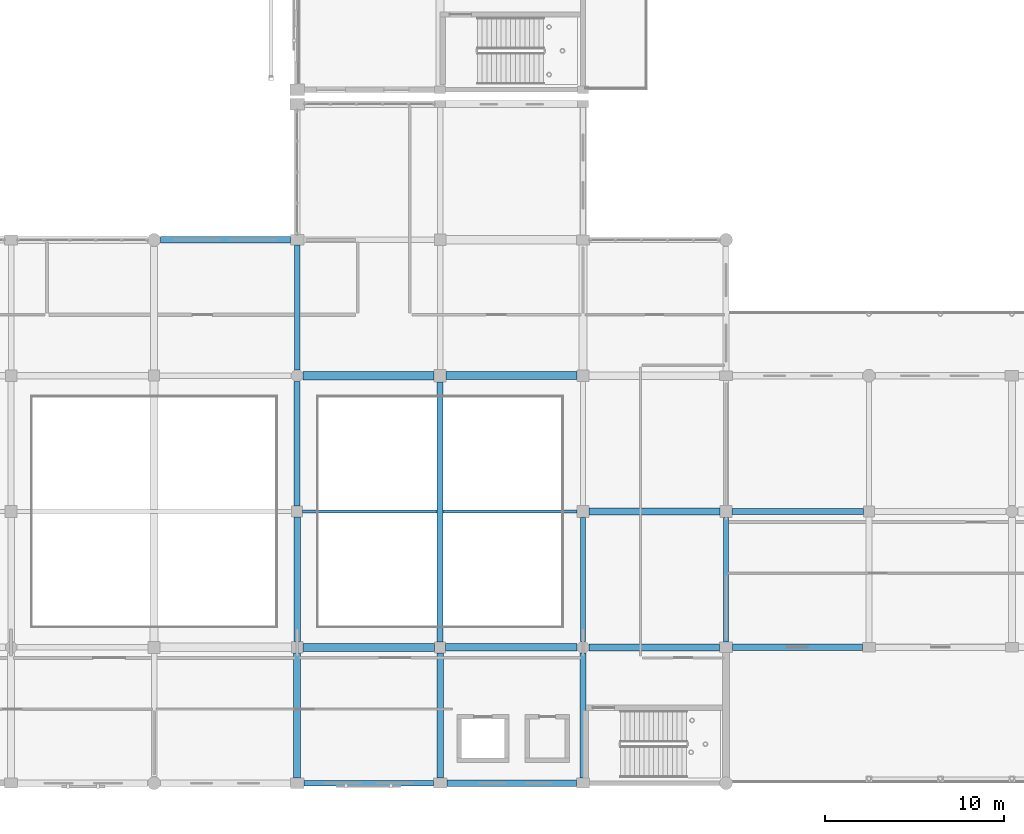
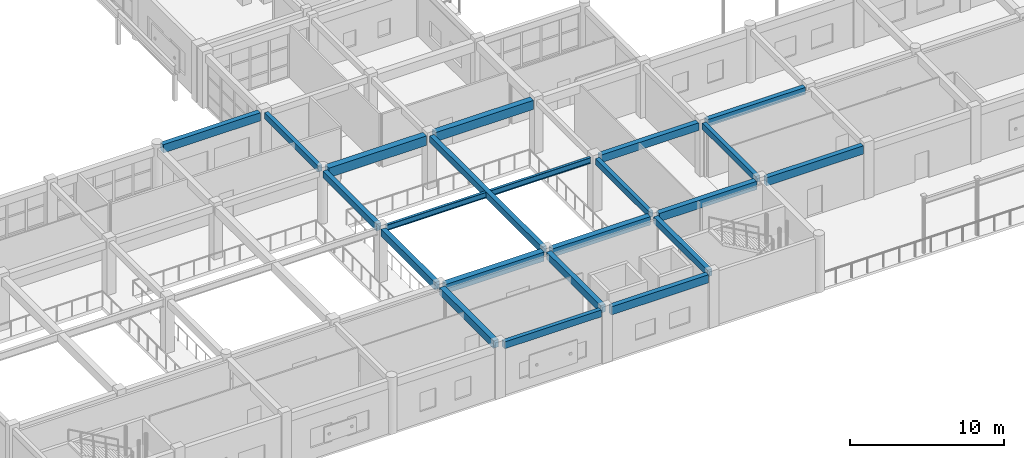
# One storey, part 45 of 160: 21 beams.
"""IFC4 building model written with IfcOpenShell, lengths in metres."""

from ifc_helpers import new_model, si_unit, direction, frame, origin, origin_2d, place, context, subcontext, project, spatial, rectangle, i_section, extrude, material, material_profile, profile_set, type_object, element, save


model = new_model("IFC4")

# Units and contexts
model_context = context("Model", 3, precision=1e-05, world=origin(), true_north=direction((0.0, 1.0)))
body_context = subcontext(model_context, "Body", "Model", "MODEL_VIEW")
ifc_project = project(units=[si_unit("LENGTHUNIT", "METRE"), si_unit("AREAUNIT", "SQUARE_METRE"), si_unit("VOLUMEUNIT", "CUBIC_METRE"), si_unit("PLANEANGLEUNIT", "RADIAN"), si_unit("MASSUNIT", "GRAM", prefix="KILO")], contexts=[model_context])

# Site, building, storey
site_placement = place(None, origin())
site = spatial("IfcSite", under=ifc_project, at=site_placement, CompositionType="ELEMENT")
building_placement = place(site_placement, origin())
building = spatial("IfcBuilding", under=site, at=building_placement, Name="Kharva Crest Polytechnic", CompositionType="ELEMENT")
storey_placement = place(building_placement, frame((0.0, 0.0, 4.5)))
storey = spatial("IfcBuildingStorey", under=building, at=storey_placement, Name="L01", CompositionType="ELEMENT", Elevation=4.5)

# Beams
ifc_material_1 = material(Name="Concrete C35/45", Category="concrete")
ifc_material_profile_1 = material_profile(ifc_material_1, rectangle(XDim=0.300048828125, YDim=0.47998046875, at=origin_2d()), Name="RECT 300 X 480")
ifc_profile_set_1 = profile_set([ifc_material_profile_1], Name="Concrete C35/45")
beam_type_1 = type_object("IfcBeamType", Name="BM-RC-300X480", PredefinedType="BEAM", material=ifc_profile_set_1)
beam_1_placement = place(storey_placement, frame((32.0, 23.1298828125, 3.97998046875), z_axis=(0.0, 1.0, 0.0), x_axis=(-1.0, 0.0, 0.0)))
element("IfcBeam", 1, at=beam_1_placement, inside=storey, type_object=beam_type_1, Name="L01 Girder 5/D-E", PredefinedType="BEAM", context=body_context, shape_type="SweptSolid", body=[
    extrude(rectangle(XDim=0.300048828125, YDim=0.47998046875, at=origin_2d()), origin(), (0.0, 0.0, 1.0), 6.97021484375),
])
beam_2_placement = place(storey_placement, frame((48.0, 7.929931640625, 3.97998046875), z_axis=(0.0, 1.0, 0.0), x_axis=(-1.0, 0.0, 0.0)))
element("IfcBeam", 2, at=beam_2_placement, inside=storey, type_object=beam_type_1, Name="L01 Girder 7/B-C", PredefinedType="BEAM", context=body_context, shape_type="SweptSolid", body=[
    extrude(rectangle(XDim=0.300048828125, YDim=0.47998046875, at=origin_2d()), origin(), (0.0, 0.0, 1.0), 6.93017578125),
])
beam_3_placement = place(storey_placement, frame((56.0, 7.89990234375, 3.97998046875), z_axis=(0.0, 1.0, 0.0), x_axis=(-1.0, 0.0, 0.0)))
element("IfcBeam", 3, at=beam_3_placement, inside=storey, type_object=beam_type_1, Name="L01 Girder 8/B-C", PredefinedType="BEAM", context=body_context, shape_type="SweptSolid", body=[
    extrude(rectangle(XDim=0.300048828125, YDim=0.47998046875, at=origin_2d()), origin(), (0.0, 0.0, 1.0), 6.97509765625),
])
ifc_material_profile_2 = material_profile(ifc_material_1, rectangle(XDim=0.340087890625, YDim=0.52001953125, at=origin_2d()), Name="RECT 340 X 520")
ifc_profile_set_2 = profile_set([ifc_material_profile_2], Name="Concrete C35/45")
beam_type_2 = type_object("IfcBeamType", Name="BM-RC-340X520", PredefinedType="BEAM", material=ifc_profile_set_2)
beam_4_placement = place(storey_placement, frame((32.0, 15.510009765625, 3.9599609375), z_axis=(0.0, 1.0, 0.0), x_axis=(-1.0, 0.0, 0.0)))
element("IfcBeam", 4, at=beam_4_placement, inside=storey, type_object=beam_type_2, Name="L01 Girder 5/C-D", PredefinedType="BEAM", context=body_context, shape_type="SweptSolid", body=[
    extrude(rectangle(XDim=0.340087890625, YDim=0.52001953125, at=origin_2d()), origin(), (0.0, 0.0, 1.0), 6.9599609375),
])
beam_5_placement = place(storey_placement, frame((40.0, 7.909912109375, 3.9599609375), z_axis=(0.0, 1.0, 0.0), x_axis=(-1.0, 0.0, 0.0)))
element("IfcBeam", 5, at=beam_5_placement, inside=storey, type_object=beam_type_2, Name="L01 Girder 6/B-D", PredefinedType="BEAM", context=body_context, shape_type="SweptSolid", body=[
    extrude(rectangle(XDim=0.340087890625, YDim=0.52001953125, at=origin_2d()), origin(), (0.0, 0.0, 1.0), 14.550048828125),
])
beam_6_placement = place(storey_placement, frame((48.0, 0.27490234375, 3.9599609375), z_axis=(0.0, 1.0, 0.0), x_axis=(-1.0, 0.0, 0.0)))
element("IfcBeam", 6, at=beam_6_placement, inside=storey, type_object=beam_type_2, Name="L01 Girder 7/A-B", PredefinedType="BEAM", context=body_context, shape_type="SweptSolid", body=[
    extrude(rectangle(XDim=0.340087890625, YDim=0.52001953125, at=origin_2d()), origin(), (0.0, 0.0, 1.0), 6.9951171875),
])
ifc_material_profile_3 = material_profile(ifc_material_1, rectangle(XDim=0.35009765625, YDim=0.550048828125, at=origin_2d()), Name="RECT 350 X 550")
ifc_profile_set_3 = profile_set([ifc_material_profile_3], Name="Concrete C35/45")
beam_type_3 = type_object("IfcBeamType", Name="BM-RC-350X550", PredefinedType="BEAM", material=ifc_profile_set_3)
beam_7_placement = place(storey_placement, frame((56.324951171875, 15.199951171875, 3.945068359375), z_axis=(1.0, 0.0, 0.0), x_axis=(0.0, 1.0, 0.0)))
element("IfcBeam", 7, at=beam_7_placement, inside=storey, type_object=beam_type_3, Name="L01 Beam C/8-9", PredefinedType="BEAM", context=body_context, shape_type="SweptSolid", body=[
    extrude(rectangle(XDim=0.35009765625, YDim=0.550048828125, at=origin_2d()), origin(), (0.0, 0.0, 1.0), 7.364990234375),
])
ifc_material_profile_4 = material_profile(ifc_material_1, rectangle(XDim=0.360107421875, YDim=0.580078125, at=origin_2d()), Name="RECT 360 X 580")
ifc_profile_set_4 = profile_set([ifc_material_profile_4], Name="Concrete C35/45")
beam_type_4 = type_object("IfcBeamType", Name="BM-RC-360X580", PredefinedType="BEAM", material=ifc_profile_set_4)
beam_8_placement = place(storey_placement, frame((32.0, 7.925048828125, 3.929931640625), z_axis=(0.0, 1.0, 0.0), x_axis=(-1.0, 0.0, 0.0)))
element("IfcBeam", 8, at=beam_8_placement, inside=storey, type_object=beam_type_4, Name="L01 Girder 5/B-C", PredefinedType="BEAM", context=body_context, shape_type="SweptSolid", body=[
    extrude(rectangle(XDim=0.360107421875, YDim=0.580078125, at=origin_2d()), origin(), (0.0, 0.0, 1.0), 6.96484375),
])
beam_9_placement = place(storey_placement, frame((40.0, 0.27490234375, 3.929931640625), z_axis=(0.0, 1.0, 0.0), x_axis=(-1.0, 0.0, 0.0)))
element("IfcBeam", 9, at=beam_9_placement, inside=storey, type_object=beam_type_4, Name="L01 Girder 6/A-B", PredefinedType="BEAM", context=body_context, shape_type="SweptSolid", body=[
    extrude(rectangle(XDim=0.360107421875, YDim=0.580078125, at=origin_2d()), origin(), (0.0, 0.0, 1.0), 7.01513671875),
])
ifc_material_profile_5 = material_profile(ifc_material_1, rectangle(XDim=0.3798828125, YDim=0.60009765625, at=origin_2d()), Name="RECT 380 X 600")
ifc_profile_set_5 = profile_set([ifc_material_profile_5], Name="Concrete C35/45")
beam_type_5 = type_object("IfcBeamType", Name="BM-RC-380X600", PredefinedType="BEAM", material=ifc_profile_set_5)
beam_10_placement = place(storey_placement, frame((48.340087890625, 15.199951171875, 3.919921875), z_axis=(1.0, 0.0, 0.0), x_axis=(0.0, 1.0, 0.0)))
element("IfcBeam", 10, at=beam_10_placement, inside=storey, type_object=beam_type_5, Name="L01 Beam C/7-8", PredefinedType="BEAM", context=body_context, shape_type="SweptSolid", body=[
    extrude(rectangle(XDim=0.3798828125, YDim=0.60009765625, at=origin_2d()), origin(), (0.0, 0.0, 1.0), 7.3349609375),
])
ifc_material_profile_6 = material_profile(ifc_material_1, rectangle(XDim=0.39990234375, YDim=0.580078125, at=origin_2d()), Name="RECT 400 X 580")
ifc_profile_set_6 = profile_set([ifc_material_profile_6], Name="Concrete C35/45")
beam_type_6 = type_object("IfcBeamType", Name="BM-RC-400X580", PredefinedType="BEAM", material=ifc_profile_set_6)
beam_11_placement = place(storey_placement, frame((32.0, 0.300048828125, 3.929931640625), z_axis=(0.0, 1.0, 0.0), x_axis=(-1.0, 0.0, 0.0)))
element("IfcBeam", 11, at=beam_11_placement, inside=storey, type_object=beam_type_6, Name="L01 Girder 5/A-B", PredefinedType="BEAM", context=body_context, shape_type="SweptSolid", body=[
    extrude(rectangle(XDim=0.39990234375, YDim=0.580078125, at=origin_2d()), origin(), (0.0, 0.0, 1.0), 6.974853515625),
])
ifc_material_profile_7 = material_profile(ifc_material_1, rectangle(XDim=0.39990234375, YDim=0.64990234375, at=origin_2d()), Name="RECT 400 X 650")
ifc_profile_set_7 = profile_set([ifc_material_profile_7], Name="Concrete C35/45")
beam_type_7 = type_object("IfcBeamType", Name="BM-RC-400X650", PredefinedType="BEAM", material=ifc_profile_set_7)
beam_12_placement = place(storey_placement, frame((48.330078125, 7.60009765625, 3.89501953125), z_axis=(1.0, 0.0, 0.0), x_axis=(0.0, 1.0, 0.0)))
element("IfcBeam", 12, at=beam_12_placement, inside=storey, type_object=beam_type_7, Name="L01 Beam B/7-8", PredefinedType="BEAM", context=body_context, shape_type="SweptSolid", body=[
    extrude(rectangle(XDim=0.39990234375, YDim=0.64990234375, at=origin_2d()), origin(), (0.0, 0.0, 1.0), 7.294921875),
])
ifc_material_profile_8 = material_profile(ifc_material_1, rectangle(XDim=0.419921875, YDim=0.659912109375, at=origin_2d()), Name="RECT 420 X 660")
ifc_profile_set_8 = profile_set([ifc_material_profile_8], Name="Concrete C35/45")
beam_type_8 = type_object("IfcBeamType", Name="BM-RC-420X660", PredefinedType="BEAM", material=ifc_profile_set_8)
beam_13_placement = place(storey_placement, frame((40.31005859375, 7.60009765625, 3.889892578125), z_axis=(1.0, 0.0, 0.0), x_axis=(0.0, 1.0, 0.0)))
element("IfcBeam", 13, at=beam_13_placement, inside=storey, type_object=beam_type_8, Name="L01 Beam B/6-7", PredefinedType="BEAM", context=body_context, shape_type="SweptSolid", body=[
    extrude(rectangle(XDim=0.419921875, YDim=0.659912109375, at=origin_2d()), origin(), (0.0, 0.0, 1.0), 7.35986328125),
])
ifc_material_profile_9 = material_profile(ifc_material_1, rectangle(XDim=0.449951171875, YDim=0.719970703125, at=origin_2d()), Name="RECT 450 X 720")
ifc_profile_set_9 = profile_set([ifc_material_profile_9], Name="Concrete C35/45")
beam_type_9 = type_object("IfcBeamType", Name="BM-RC-450X720", PredefinedType="BEAM", material=ifc_profile_set_9)
beam_14_placement = place(storey_placement, frame((32.324951171875, 7.60009765625, 3.860107421875), z_axis=(1.0, 0.0, 0.0), x_axis=(0.0, 1.0, 0.0)))
element("IfcBeam", 14, at=beam_14_placement, inside=storey, type_object=beam_type_9, Name="L01 Beam B/5-6", PredefinedType="BEAM", context=body_context, shape_type="SweptSolid", body=[
    extrude(rectangle(XDim=0.449951171875, YDim=0.719970703125, at=origin_2d()), origin(), (0.0, 0.0, 1.0), 7.364990234375),
])
beam_15_placement = place(storey_placement, frame((40.340087890625, 22.800048828125, 3.860107421875), z_axis=(1.0, 0.0, 0.0), x_axis=(0.0, 1.0, 0.0)))
element("IfcBeam", 15, at=beam_15_placement, inside=storey, type_object=beam_type_9, Name="L01 Beam D/6-7", PredefinedType="BEAM", context=body_context, shape_type="SweptSolid", body=[
    extrude(rectangle(XDim=0.449951171875, YDim=0.719970703125, at=origin_2d()), origin(), (0.0, 0.0, 1.0), 7.3349609375),
])
ifc_material_profile_10 = material_profile(ifc_material_1, rectangle(XDim=0.47998046875, YDim=0.75, at=origin_2d()), Name="RECT 480 X 750")
ifc_profile_set_10 = profile_set([ifc_material_profile_10], Name="Concrete C35/45")
beam_type_10 = type_object("IfcBeamType", Name="BM-RC-480X750", PredefinedType="BEAM", material=ifc_profile_set_10)
beam_16_placement = place(storey_placement, frame((32.330078125, 22.800048828125, 3.844970703125), z_axis=(1.0, 0.0, 0.0), x_axis=(0.0, 1.0, 0.0)))
element("IfcBeam", 16, at=beam_16_placement, inside=storey, type_object=beam_type_10, Name="L01 Beam D/5-6", PredefinedType="BEAM", context=body_context, shape_type="SweptSolid", body=[
    extrude(rectangle(XDim=0.47998046875, YDim=0.75, at=origin_2d()), origin(), (0.0, 0.0, 1.0), 7.329833984375),
])
ifc_material_2 = material(Name="Steel S355", Category="steel")
ifc_material_profile_11 = material_profile(ifc_material_2, i_section(OverallWidth=0.19091796875, OverallDepth=0.4599609375, WebThickness=0.010009765625, FlangeThickness=0.01611328125, at=origin_2d()), Name="W460X82")
ifc_profile_set_11 = profile_set([ifc_material_profile_11], Name="Steel S355")
beam_type_11 = type_object("IfcBeamType", Name="BM-STL-W460X82", PredefinedType="BEAM", material=ifc_profile_set_11)
beam_17_placement = place(storey_placement, frame((32.31005859375, 15.199951171875, 3.989990234375), z_axis=(1.0, 0.0, 0.0), x_axis=(0.0, 1.0, 0.0)))
element("IfcBeam", 17, at=beam_17_placement, inside=storey, type_object=beam_type_11, Name="L01 Beam C/5-7", PredefinedType="BEAM", context=body_context, shape_type="SweptSolid", body=[
    extrude(i_section(OverallWidth=0.19091796875, OverallDepth=0.4599609375, WebThickness=0.010009765625, FlangeThickness=0.01611328125, at=origin_2d()), origin(), (0.0, 0.0, 1.0), 15.349853515625),
])
ifc_material_profile_12 = material_profile(ifc_material_1, rectangle(XDim=0.300048828125, YDim=0.550048828125, at=origin_2d()), Name="RECT 300 X 550")
ifc_profile_set_12 = profile_set([ifc_material_profile_12], Name="Concrete C35/45")
beam_type_12 = type_object("IfcBeamType", Name="SP-RC-300X550", PredefinedType="SPANDREL", material=ifc_profile_set_12)
beam_18_placement = place(storey_placement, frame((32.375, 0.0, 3.945068359375), z_axis=(1.0, 0.0, 0.0), x_axis=(0.0, 1.0, 0.0)))
element("IfcBeam", 18, at=beam_18_placement, inside=storey, type_object=beam_type_12, Name="L01 Beam A/5-6", PredefinedType="SPANDREL", context=body_context, shape_type="SweptSolid", body=[
    extrude(rectangle(XDim=0.300048828125, YDim=0.550048828125, at=origin_2d()), origin(), (0.0, 0.0, 1.0), 7.25),
])
ifc_material_profile_13 = material_profile(ifc_material_1, rectangle(XDim=0.360107421875, YDim=0.64990234375, at=origin_2d()), Name="RECT 360 X 650")
ifc_profile_set_13 = profile_set([ifc_material_profile_13], Name="Concrete C35/45")
beam_type_13 = type_object("IfcBeamType", Name="SP-RC-360X650", PredefinedType="SPANDREL", material=ifc_profile_set_13)
beam_19_placement = place(storey_placement, frame((40.375, 0.0, 3.89501953125), z_axis=(1.0, 0.0, 0.0), x_axis=(0.0, 1.0, 0.0)))
element("IfcBeam", 19, at=beam_19_placement, inside=storey, type_object=beam_type_13, Name="L01 Beam A/6-7", PredefinedType="SPANDREL", context=body_context, shape_type="SweptSolid", body=[
    extrude(rectangle(XDim=0.360107421875, YDim=0.64990234375, at=origin_2d()), origin(), (0.0, 0.0, 1.0), 7.264892578125),
])
beam_20_placement = place(storey_placement, frame((56.375, 7.60009765625, 3.89501953125), z_axis=(1.0, 0.0, 0.0), x_axis=(0.0, 1.0, 0.0)))
element("IfcBeam", 20, at=beam_20_placement, inside=storey, type_object=beam_type_13, Name="L01 Beam B/8-9", PredefinedType="SPANDREL", context=body_context, shape_type="SweptSolid", body=[
    extrude(rectangle(XDim=0.360107421875, YDim=0.64990234375, at=origin_2d()), origin(), (0.0, 0.0, 1.0), 7.25),
])
beam_21_placement = place(storey_placement, frame((24.360107421875, 30.39990234375, 3.89501953125), z_axis=(1.0, 0.0, 0.0), x_axis=(0.0, 1.0, 0.0)))
element("IfcBeam", 21, at=beam_21_placement, inside=storey, type_object=beam_type_13, Name="L01 Beam E/4-5", PredefinedType="SPANDREL", context=body_context, shape_type="SweptSolid", body=[
    extrude(rectangle(XDim=0.360107421875, YDim=0.64990234375, at=origin_2d()), origin(), (0.0, 0.0, 1.0), 7.264892578125),
])

save(model, "model.ifc")
